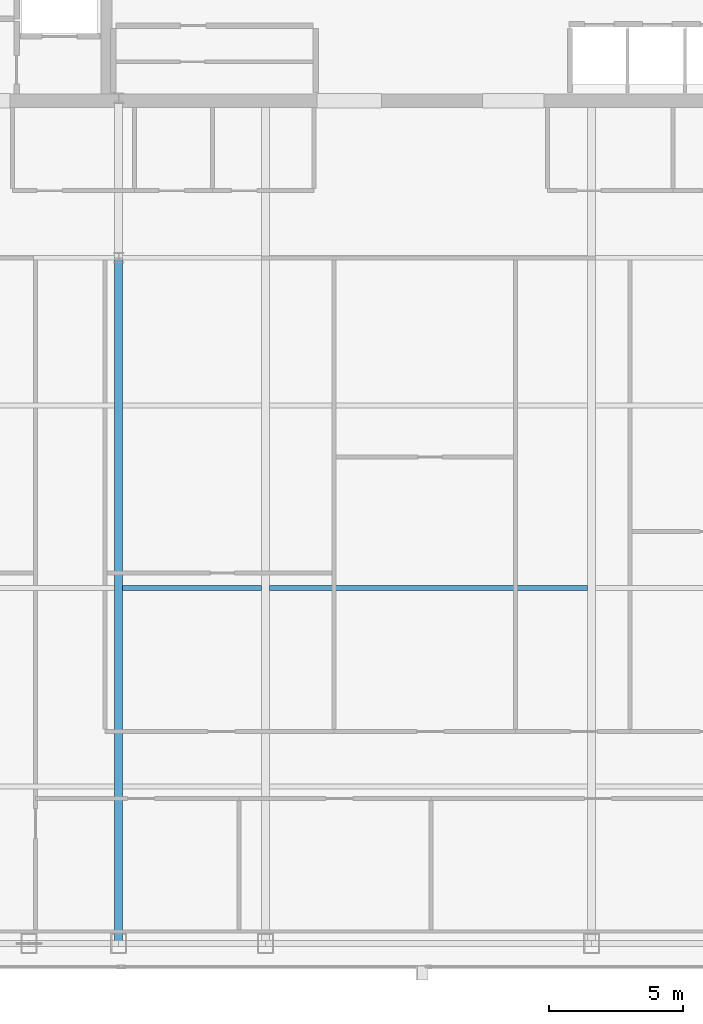
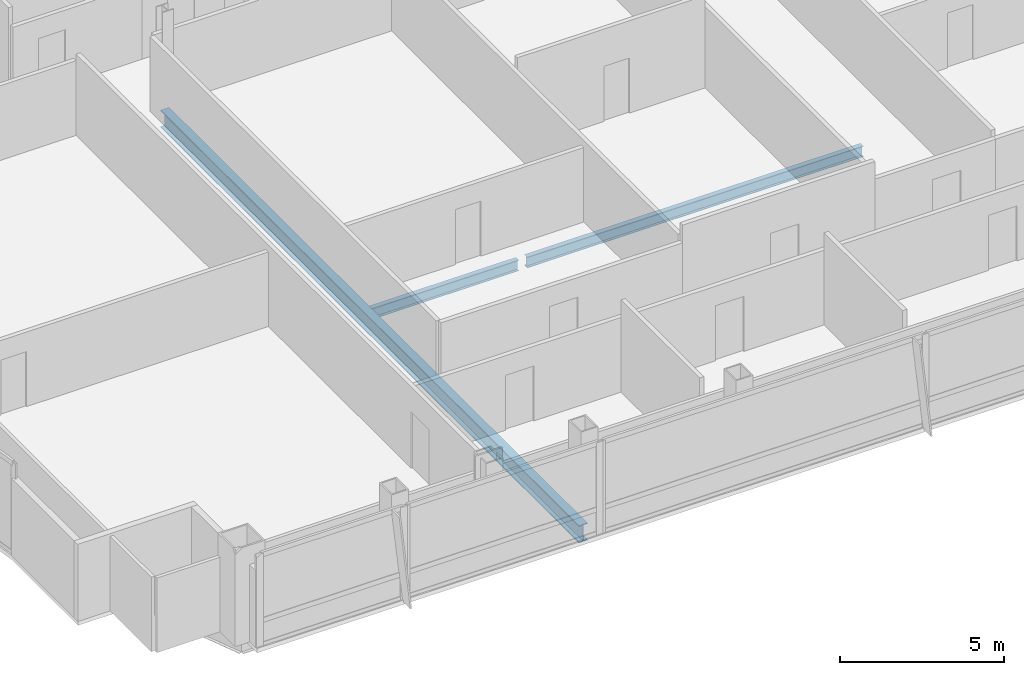
# One storey, part 9 of 30: 3 beams.
"""IFC4 building model written with IfcOpenShell, lengths in metres."""

from ifc_helpers import new_model, si_unit, direction, frame, origin, origin_2d, place, context, subcontext, project, spatial, i_section, extrude, material, material_profile, profile_set, type_object, element, save


model = new_model("IFC4")

# Units and contexts
model_context = context("Model", 3, precision=1e-05, world=origin(), true_north=direction((0.0, 1.0)))
body_context = subcontext(model_context, "Body", "Model", "MODEL_VIEW")
ifc_project = project(units=[si_unit("LENGTHUNIT", "METRE"), si_unit("AREAUNIT", "SQUARE_METRE"), si_unit("VOLUMEUNIT", "CUBIC_METRE"), si_unit("PLANEANGLEUNIT", "RADIAN"), si_unit("MASSUNIT", "GRAM", prefix="KILO")], contexts=[model_context])

# Site, building, storey
site_placement = place(None, origin())
site = spatial("IfcSite", under=ifc_project, at=site_placement, CompositionType="ELEMENT")
building_placement = place(site_placement, origin())
building = spatial("IfcBuilding", under=site, at=building_placement, Name="Khoronbel Lancet Exchange", CompositionType="ELEMENT")
storey_placement = place(building_placement, frame((0.0, 0.0, 280.60009765625)))
storey = spatial("IfcBuildingStorey", under=building, at=storey_placement, Name="L72", CompositionType="ELEMENT", Elevation=280.60009765625)

# Beams
ifc_material = material(Name="Steel S355", Category="steel")
ifc_material_profile_1 = material_profile(ifc_material, i_section(OverallWidth=0.300048828125, OverallDepth=0.64990234375, WebThickness=0.01611328125, FlangeThickness=0.031005859375, at=origin_2d()), Name="HEB 650")
ifc_profile_set_1 = profile_set([ifc_material_profile_1], Name="Steel S355")
beam_type_1 = type_object("IfcBeamType", Name="BM-BG4", PredefinedType="BEAM", material=ifc_profile_set_1)
beam_1_placement = place(storey_placement, frame((24.89990234375, 10.14990234375, -0.485107421875), z_axis=(0.0, 1.0, 0.0), x_axis=(-1.0, 0.0, 0.0)))
element("IfcBeam", 1, at=beam_1_placement, inside=storey, type_object=beam_type_1, Name="Level L72 south primary girder GS2", PredefinedType="BEAM", context=body_context, shape_type="SweptSolid", body=[
    extrude(i_section(OverallWidth=0.300048828125, OverallDepth=0.64990234375, WebThickness=0.01611328125, FlangeThickness=0.031005859375, at=origin_2d()), origin(), (0.0, 0.0, 1.0), 25.550048828125),
])
ifc_material_profile_2 = material_profile(ifc_material, i_section(OverallWidth=0.179931640625, OverallDepth=0.39990234375, WebThickness=0.008544921875, FlangeThickness=0.013427734375, at=origin_2d()), Name="IPE 400")
ifc_profile_set_2 = profile_set([ifc_material_profile_2], Name="Steel S355")
beam_type_2 = type_object("IfcBeamType", Name="BM-BJ5", PredefinedType="JOIST", material=ifc_profile_set_2)
beam_2_placement = place(storey_placement, frame((25.050048828125, 23.39990234375, -0.360107421875), z_axis=(1.0, 0.0, 0.0), x_axis=(0.0, 1.0, 0.0)))
element("IfcBeam", 2, at=beam_2_placement, inside=storey, type_object=beam_type_2, Name="Level L72 secondary composite joist J07", PredefinedType="JOIST", context=body_context, shape_type="SweptSolid", body=[
    extrude(i_section(OverallWidth=0.179931640625, OverallDepth=0.39990234375, WebThickness=0.008544921875, FlangeThickness=0.013427734375, at=origin_2d()), origin(), (0.0, 0.0, 1.0), 5.175048828125),
])
beam_3_placement = place(storey_placement, frame((30.52490234375, 23.39990234375, -0.360107421875), z_axis=(1.0, 0.0, 0.0), x_axis=(0.0, 1.0, 0.0)))
element("IfcBeam", 3, at=beam_3_placement, inside=storey, type_object=beam_type_2, Name="Level L72 secondary composite joist J08", PredefinedType="JOIST", context=body_context, shape_type="SweptSolid", body=[
    extrude(i_section(OverallWidth=0.179931640625, OverallDepth=0.39990234375, WebThickness=0.008544921875, FlangeThickness=0.013427734375, at=origin_2d()), origin(), (0.0, 0.0, 1.0), 11.85009765625),
])

save(model, "model.ifc")
